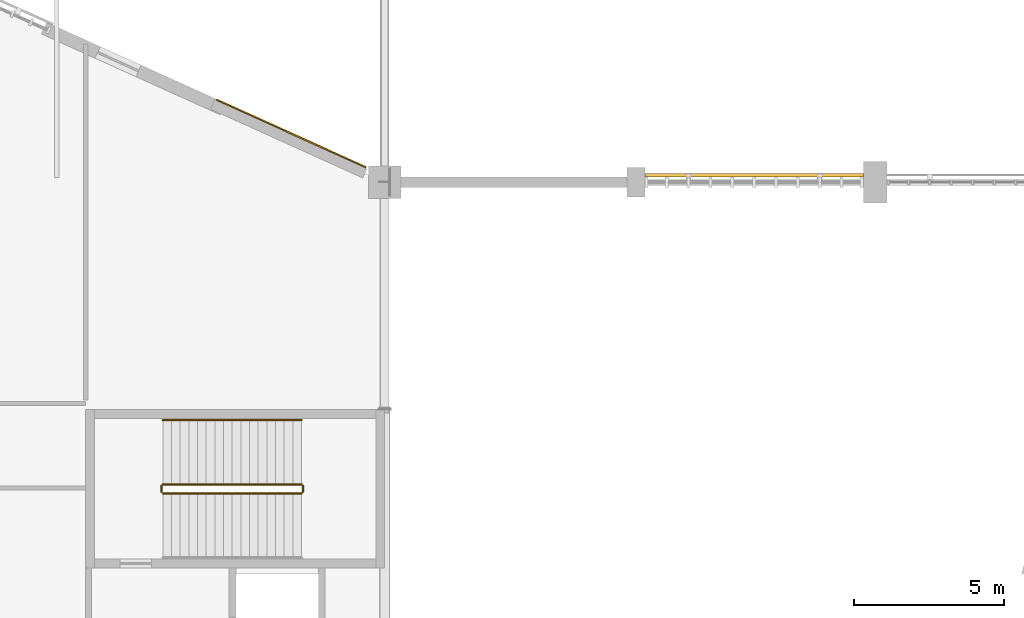
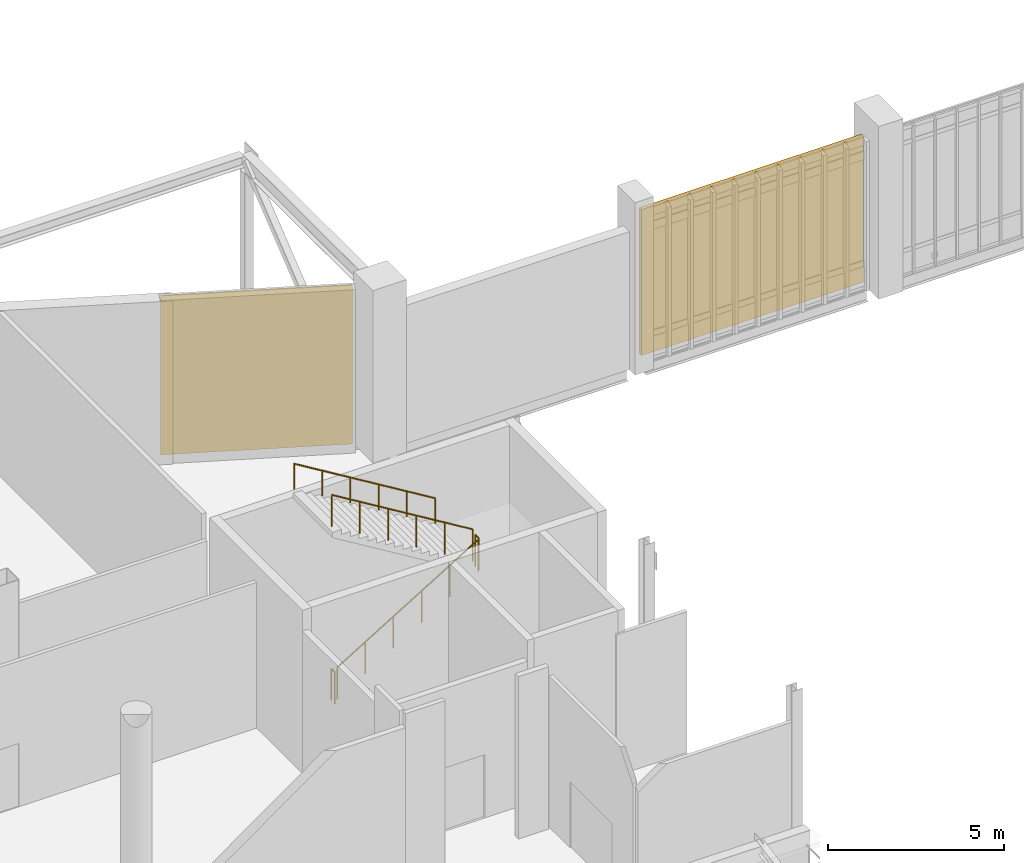
# One storey, part 131 of 135: 5 railings, 1 covering, 1 shading device.
"""IFC4 building model written with IfcOpenShell, lengths in metres."""

from ifc_helpers import new_model, si_unit, direction, frame, origin, origin_2d, place, context, subcontext, project, spatial, rectangle, circle, extrude, material, layer, layer_set, type_object, element, save


model = new_model("IFC4")

# Units and contexts
model_context = context("Model", 3, precision=1e-05, world=origin(), true_north=direction((0.0, 1.0)))
body_context = subcontext(model_context, "Body", "Model", "MODEL_VIEW")
ifc_project = project(units=[si_unit("LENGTHUNIT", "METRE"), si_unit("AREAUNIT", "SQUARE_METRE"), si_unit("VOLUMEUNIT", "CUBIC_METRE"), si_unit("PLANEANGLEUNIT", "RADIAN"), si_unit("MASSUNIT", "GRAM", prefix="KILO")], contexts=[model_context])

# Site, building, storey
site_placement = place(None, origin())
site = spatial("IfcSite", under=ifc_project, at=site_placement, CompositionType="ELEMENT")
building_placement = place(site_placement, origin())
building = spatial("IfcBuilding", under=site, at=building_placement, Name="Larkvane Passage Sports Hall", CompositionType="ELEMENT")
storey_placement = place(building_placement, frame((0.0, 0.0, 10.800048828125)))
storey = spatial("IfcBuildingStorey", under=building, at=storey_placement, Name="L02", CompositionType="ELEMENT", Elevation=10.800048828125)

# Covering
ifc_material_1 = material(Name="Perforated anodised aluminium 5052-H32", Category="aluminium")
ifc_layer_1 = layer(ifc_material_1, 0.050048828125)
ifc_layer_set_1 = layer_set([ifc_layer_1], Name="Perforated anodised aluminium 5052-H32")
covering_type = type_object("IfcCoveringType", Name="COV-MESH-VEIL", PredefinedType="CLADDING", material=ifc_layer_set_1)
covering_placement = place(storey_placement, frame((90.476318359375, 100.829833984375, 0.07470703125), z_axis=(0.0, 0.0, 1.0), x_axis=(0.911107922836, -0.41216786986, 0.0)))
element("IfcCovering", 1, at=covering_placement, inside=storey, type_object=covering_type, Name="Perforated cladding cassette L02-136", PredefinedType="CLADDING", context=body_context, shape_type="SweptSolid", body=[
    extrude(rectangle(XDim=5.48828125, YDim=0.050048828125, at=origin_2d()), origin(), (0.0, 0.0, 1.0), 5.530029296875),
])

# Railings
ifc_material_2 = material(Name="Steel S355JR", Category="steel")
railing_type_1 = type_object("IfcRailingType", Name="RL-GUARD-1120", PredefinedType="GUARDRAIL", material=ifc_material_2)
railing_1_placement = place(storey_placement, frame((86.179931640625, 88.800048828125, 0.176513671875)))
element("IfcRailing", 2, at=railing_1_placement, inside=storey, type_object=railing_type_1, Name="L02 ST-03 stair guard 1", PredefinedType="GUARDRAIL", context=body_context, shape_type="SweptSolid", body=[
    extrude(circle(Radius=0.02392578125, at=origin_2d()), frame((0.001708984375, 0.0, 1.09716796875), z_axis=(0.854275794217, 0.0, 0.51982003368), x_axis=(0.0, 1.0, 0.0)), (0.0, 0.0, 1.0), 5.427734375),
    extrude(circle(Radius=0.02099609375, at=origin_2d()), origin(), (0.0, 0.0, 1.0), 1.072021484375),
    extrude(circle(Radius=0.02099609375, at=origin_2d()), frame((0.927978515625, 0.0, 0.564697265625)), (0.0, 0.0, 1.0), 1.072021484375),
    extrude(circle(Radius=0.02099609375, at=origin_2d()), frame((1.85595703125, 0.0, 1.12939453125)), (0.0, 0.0, 1.0), 1.072021484375),
    extrude(circle(Radius=0.02099609375, at=origin_2d()), frame((2.7841796875, 0.0, 1.694091796875)), (0.0, 0.0, 1.0), 1.072021484375),
    extrude(circle(Radius=0.02099609375, at=origin_2d()), frame((3.712158203125, 0.0, 2.2587890625)), (0.0, 0.0, 1.0), 1.072021484375),
    extrude(circle(Radius=0.02099609375, at=origin_2d()), frame((4.64013671875, 0.0, 2.823486328125)), (0.0, 0.0, 1.0), 1.072021484375),
])
railing_2_placement = place(storey_placement, frame((90.8701171875, 88.85009765625, 3.0)))
element("IfcRailing", 3, at=railing_2_placement, inside=storey, type_object=railing_type_1, Name="L02 ST-03 stair guard 2", PredefinedType="GUARDRAIL", context=body_context, shape_type="SweptSolid", body=[
    extrude(circle(Radius=0.02392578125, at=origin_2d()), frame((0.0, 0.001953125, 1.09619140625), z_axis=(0.0, 1.0, 0.0), x_axis=(-1.0, 0.0, 0.0)), (0.0, 0.0, 1.0), 0.196044921875),
    extrude(circle(Radius=0.02099609375, at=origin_2d()), origin(), (0.0, 0.0, 1.0), 1.072021484375),
    extrude(circle(Radius=0.02099609375, at=origin_2d()), frame((0.0, 0.199951171875, 0.0)), (0.0, 0.0, 1.0), 1.072021484375),
])
railing_3_placement = place(storey_placement, frame((90.820068359375, 89.10009765625, 3.176513671875)))
element("IfcRailing", 4, at=railing_3_placement, inside=storey, type_object=railing_type_1, Name="L02 ST-03 stair guard 3", PredefinedType="GUARDRAIL", context=body_context, shape_type="SweptSolid", body=[
    extrude(circle(Radius=0.02392578125, at=origin_2d()), frame((-0.001708984375, 0.0, 1.09716796875), z_axis=(-0.854275794217, 0.0, 0.51982003368), x_axis=(0.0, -1.0, 0.0)), (0.0, 0.0, 1.0), 5.427734375),
    extrude(circle(Radius=0.02099609375, at=origin_2d()), origin(), (0.0, 0.0, 1.0), 1.072021484375),
    extrude(circle(Radius=0.02099609375, at=origin_2d()), frame((-0.927978515625, 0.0, 0.564697265625)), (0.0, 0.0, 1.0), 1.072021484375),
    extrude(circle(Radius=0.02099609375, at=origin_2d()), frame((-1.85595703125, 0.0, 1.12939453125)), (0.0, 0.0, 1.0), 1.072021484375),
    extrude(circle(Radius=0.02099609375, at=origin_2d()), frame((-2.7841796875, 0.0, 1.694091796875)), (0.0, 0.0, 1.0), 1.072021484375),
    extrude(circle(Radius=0.02099609375, at=origin_2d()), frame((-3.712158203125, 0.0, 2.2587890625)), (0.0, 0.0, 1.0), 1.072021484375),
    extrude(circle(Radius=0.02099609375, at=origin_2d()), frame((-4.64013671875, 0.0, 2.823486328125)), (0.0, 0.0, 1.0), 1.072021484375),
])
railing_4_placement = place(storey_placement, frame((86.1298828125, 88.85009765625, 0.0)))
element("IfcRailing", 5, at=railing_4_placement, inside=storey, type_object=railing_type_1, Name="L02 ST-03 stair guard 4", PredefinedType="GUARDRAIL", context=body_context, shape_type="SweptSolid", body=[
    extrude(circle(Radius=0.02392578125, at=origin_2d()), frame((0.0, 0.001953125, 1.09619140625), z_axis=(0.0, 1.0, 0.0), x_axis=(-1.0, 0.0, 0.0)), (0.0, 0.0, 1.0), 0.196044921875),
    extrude(circle(Radius=0.02099609375, at=origin_2d()), origin(), (0.0, 0.0, 1.0), 1.072021484375),
    extrude(circle(Radius=0.02099609375, at=origin_2d()), frame((0.0, 0.199951171875, 0.0)), (0.0, 0.0, 1.0), 1.072021484375),
])
ifc_material_3 = material(Name="Stainless steel S355JR", Category="steel")
railing_type_2 = type_object("IfcRailingType", Name="RL-HAND-920", PredefinedType="HANDRAIL", material=ifc_material_3)
railing_5_placement = place(storey_placement, frame((90.820068359375, 91.25, 3.176513671875)))
element("IfcRailing", 6, at=railing_5_placement, inside=storey, type_object=railing_type_2, Name="L02 ST-03 stair handrail 2", PredefinedType="HANDRAIL", context=body_context, shape_type="SweptSolid", body=[
    extrude(circle(Radius=0.02392578125, at=origin_2d()), frame((-0.001708984375, 0.0, 0.876953125), z_axis=(-0.854275794217, 0.0, 0.51982003368), x_axis=(0.0, -1.0, 0.0)), (0.0, 0.0, 1.0), 5.427734375),
    extrude(circle(Radius=0.02099609375, at=origin_2d()), origin(), (0.0, 0.0, 1.0), 0.851806640625),
    extrude(circle(Radius=0.02099609375, at=origin_2d()), frame((-0.927978515625, 0.0, 0.564697265625)), (0.0, 0.0, 1.0), 0.851806640625),
    extrude(circle(Radius=0.02099609375, at=origin_2d()), frame((-1.85595703125, 0.0, 1.12939453125)), (0.0, 0.0, 1.0), 0.851806640625),
    extrude(circle(Radius=0.02099609375, at=origin_2d()), frame((-2.7841796875, 0.0, 1.694091796875)), (0.0, 0.0, 1.0), 0.851806640625),
    extrude(circle(Radius=0.02099609375, at=origin_2d()), frame((-3.712158203125, 0.0, 2.2587890625)), (0.0, 0.0, 1.0), 0.851806640625),
    extrude(circle(Radius=0.02099609375, at=origin_2d()), frame((-4.64013671875, 0.0, 2.823486328125)), (0.0, 0.0, 1.0), 0.851806640625),
])

# Shading device
ifc_material_4 = material(Name="Extruded aluminium 6063-T6", Category="aluminium")
ifc_layer_2 = layer(ifc_material_4, 0.1201171875)
ifc_layer_set_2 = layer_set([ifc_layer_2], Name="Extruded aluminium 6063-T6")
shading_device_type = type_object("IfcShadingDeviceType", Name="SHD-LOUVRE-STORM", PredefinedType="JALOUSIE", material=ifc_layer_set_2)
shading_device_placement = place(storey_placement, frame((105.949951171875, 99.43994140625, 0.06005859375), z_axis=(0.0, 0.0, 1.0), x_axis=(1.0, 0.0, 0.0)))
element("IfcShadingDevice", 7, at=shading_device_placement, inside=storey, type_object=shading_device_type, Name="Solar veil screen L02-057", PredefinedType="JALOUSIE", context=body_context, shape_type="SweptSolid", body=[
    extrude(rectangle(XDim=7.30810546875, YDim=0.1201171875, at=origin_2d()), origin(), (0.0, 0.0, 1.0), 5.077880859375),
])

save(model, "model.ifc")
